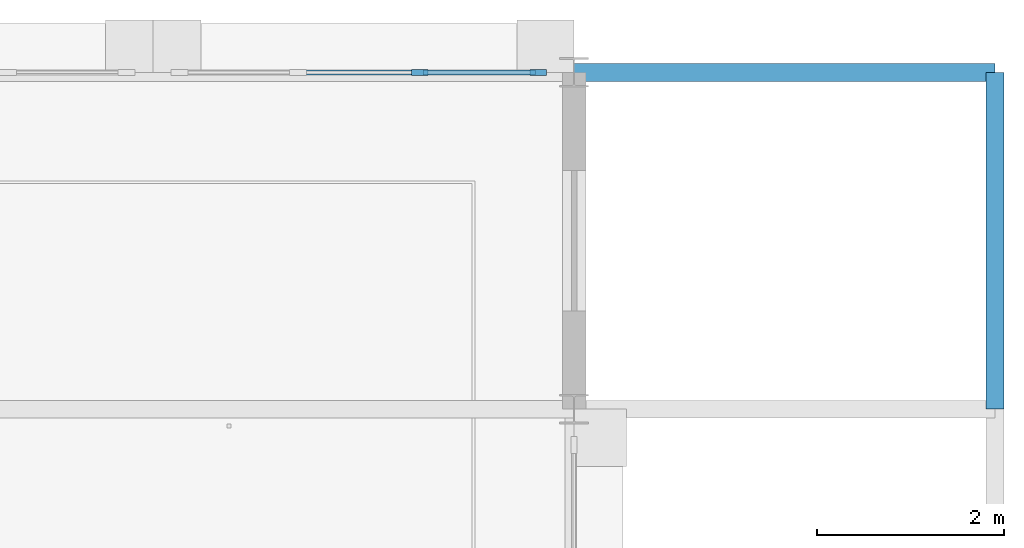
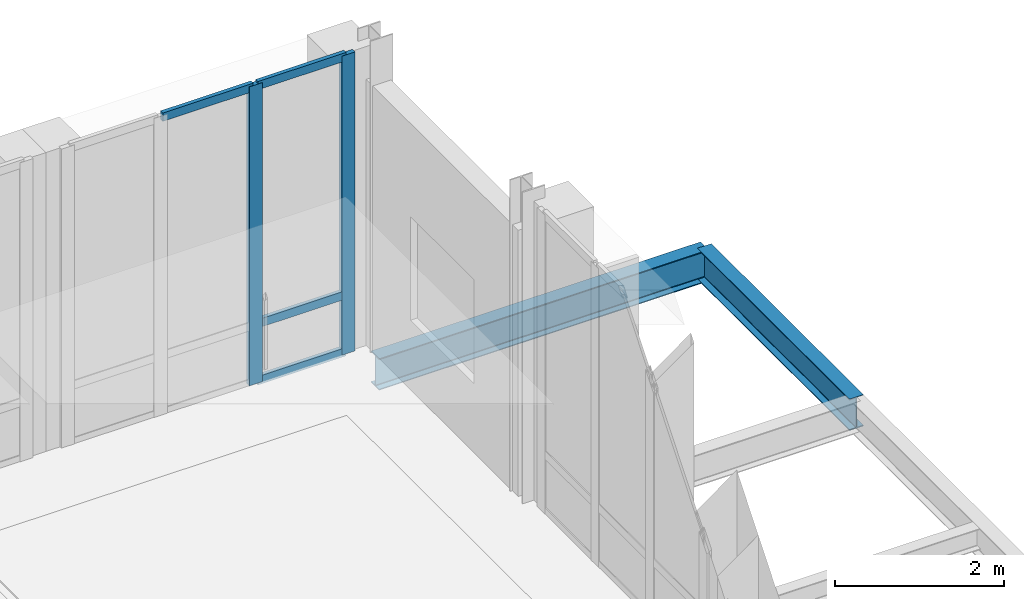
# One storey, part 71 of 140: 6 members, 2 beams, 1 element without a shape of its own.
"""IFC4 building model written with IfcOpenShell, lengths in metres."""

from ifc_helpers import new_model, si_unit, direction, frame, origin, origin_2d, place, context, subcontext, project, spatial, rectangle, i_section, extrude, material, material_profile, profile_set, type_object, element, aggregate, save


model = new_model("IFC4")

# Units and contexts
model_context = context("Model", 3, precision=1e-05, world=origin(), true_north=direction((0.0, 1.0)))
body_context = subcontext(model_context, "Body", "Model", "MODEL_VIEW")
ifc_project = project(units=[si_unit("LENGTHUNIT", "METRE"), si_unit("AREAUNIT", "SQUARE_METRE"), si_unit("VOLUMEUNIT", "CUBIC_METRE"), si_unit("PLANEANGLEUNIT", "RADIAN"), si_unit("MASSUNIT", "GRAM", prefix="KILO"), si_unit("THERMODYNAMICTEMPERATUREUNIT", "KELVIN"), si_unit("POWERUNIT", "WATT")], contexts=[model_context])

# Site, building, storey
site_placement = place(None, origin())
site = spatial("IfcSite", under=ifc_project, at=site_placement, CompositionType="ELEMENT")
building_placement = place(site_placement, origin())
building = spatial("IfcBuilding", under=site, at=building_placement, Name="Tallowbark Science Centre", CompositionType="ELEMENT")
storey_placement = place(building_placement, frame((0.0, 0.0, 9.89990234375)))
storey = spatial("IfcBuildingStorey", under=building, at=storey_placement, Name="L02", CompositionType="ELEMENT", Elevation=9.89990234375)

# Curtain wall, members
ifc_material_1 = material(Name="Unitised Thermally Broken Aluminium and Low-E Double Glazing", Category="aluminium")
curtain_wall_type = type_object("IfcCurtainWallType", Name="CW-SYS-FACADE", PredefinedType="NOTDEFINED", material=ifc_material_1)
curtain_wall_placement = place(storey_placement, origin())
curtain_wall = element("IfcCurtainWall", 1, at=curtain_wall_placement, inside=storey, type_object=curtain_wall_type, Name="Unitised Curtain Wall OBS-N-148A CW-L02-156", PredefinedType="NOTDEFINED")
ifc_material_2 = material(Name="Anodised Architectural Aluminium Alloy 6063-T6", Category="aluminium")
ifc_material_profile_1 = material_profile(ifc_material_2, rectangle(XDim=0.06494140625, YDim=0.179931640625, at=origin_2d()), Name="ALU65x180")
ifc_profile_set_1 = profile_set([ifc_material_profile_1], Name="Anodised Architectural Aluminium Alloy 6063-T6")
member_type_1 = type_object("IfcMemberType", Name="CWM-MUL-220", PredefinedType="MULLION", material=ifc_profile_set_1)
member_1_placement = place(storey_placement, frame((157.117431640625, 111.60009765625, 0.0), z_axis=(0.0, 0.0, 1.0), x_axis=(0.0, -1.0, 0.0)))
member_1 = element("IfcMember", 2, at=member_1_placement, type_object=member_type_1, Name="CW-01 mullion 1", PredefinedType="MULLION", context=body_context, shape_type="SweptSolid", body=[
    extrude(rectangle(XDim=0.06494140625, YDim=0.179931640625, at=origin_2d()), origin(), (0.0, 0.0, 1.0), 4.320068359375),
])
member_2_placement = place(storey_placement, frame((155.85009765625, 111.60009765625, 0.0), z_axis=(0.0, 0.0, 1.0), x_axis=(0.0, -1.0, 0.0)))
member_2 = element("IfcMember", 3, at=member_2_placement, type_object=member_type_1, Name="CW-01 mullion 2", PredefinedType="MULLION", context=body_context, shape_type="SweptSolid", body=[
    extrude(rectangle(XDim=0.06494140625, YDim=0.179931640625, at=origin_2d()), origin(), (0.0, 0.0, 1.0), 4.320068359375),
])
ifc_material_profile_2 = material_profile(ifc_material_2, rectangle(XDim=0.054931640625, YDim=0.1201171875, at=origin_2d()), Name="ALU55x120")
ifc_profile_set_2 = profile_set([ifc_material_profile_2], Name="Anodised Architectural Aluminium Alloy 6063-T6")
member_type_2 = type_object("IfcMemberType", Name="CWM-TRN-150", PredefinedType="USERDEFINED", material=ifc_profile_set_2)
member_3_placement = place(storey_placement, frame((157.0849609375, 111.60009765625, 0.027587890625), z_axis=(-1.0, 0.0, 0.0), x_axis=(0.0, -1.0, 0.0)))
member_3 = element("IfcMember", 4, at=member_3_placement, type_object=member_type_2, Name="CW-01 transom 1.1", ObjectType="TRANSOM", PredefinedType="USERDEFINED", context=body_context, shape_type="SweptSolid", body=[
    extrude(rectangle(XDim=0.054931640625, YDim=0.1201171875, at=origin_2d()), origin(), (0.0, 0.0, 1.0), 1.202392578125),
])
member_4_placement = place(storey_placement, frame((157.0849609375, 111.60009765625, 0.85009765625), z_axis=(-1.0, 0.0, 0.0), x_axis=(0.0, -1.0, 0.0)))
member_4 = element("IfcMember", 5, at=member_4_placement, type_object=member_type_2, Name="CW-01 transom 1.2", ObjectType="TRANSOM", PredefinedType="USERDEFINED", context=body_context, shape_type="SweptSolid", body=[
    extrude(rectangle(XDim=0.054931640625, YDim=0.1201171875, at=origin_2d()), origin(), (0.0, 0.0, 1.0), 1.202392578125),
])
member_5_placement = place(storey_placement, frame((157.0849609375, 111.60009765625, 4.29248046875), z_axis=(-1.0, 0.0, 0.0), x_axis=(0.0, -1.0, 0.0)))
member_5 = element("IfcMember", 6, at=member_5_placement, type_object=member_type_2, Name="CW-01 transom 1.3", ObjectType="TRANSOM", PredefinedType="USERDEFINED", context=body_context, shape_type="SweptSolid", body=[
    extrude(rectangle(XDim=0.054931640625, YDim=0.1201171875, at=origin_2d()), origin(), (0.0, 0.0, 1.0), 1.202392578125),
])
member_6_placement = place(storey_placement, frame((155.8173828125, 111.60009765625, 4.29248046875), z_axis=(-1.0, 0.0, 0.0), x_axis=(0.0, -1.0, 0.0)))
member_6 = element("IfcMember", 7, at=member_6_placement, type_object=member_type_2, Name="CW-01 transom 2.3", ObjectType="TRANSOM", PredefinedType="USERDEFINED", context=body_context, shape_type="SweptSolid", body=[
    extrude(rectangle(XDim=0.054931640625, YDim=0.1201171875, at=origin_2d()), origin(), (0.0, 0.0, 1.0), 1.23486328125),
])
aggregate(curtain_wall, [member_1, member_2, member_3, member_4, member_5, member_6])

# Beams
ifc_material_3 = material(Name="Structural Steel Grade 300PLUS (300 MPa)", Category="steel")
ifc_material_profile_3 = material_profile(ifc_material_3, i_section(OverallWidth=0.18994140625, OverallDepth=0.453857421875, WebThickness=0.008544921875, FlangeThickness=0.0126953125, FilletRadius=0.011474609375, at=origin_2d()), Name="460UB67.1")
ifc_profile_set_3 = profile_set([ifc_material_profile_3], Name="Structural Steel Grade 300PLUS (300 MPa)")
beam_type = type_object("IfcBeamType", Name="SPN-UB460", PredefinedType="SPANDREL", material=ifc_profile_set_3)
beam_1_placement = place(storey_placement, frame((157.5, 111.60009765625, -0.40673828125), z_axis=(1.0, 0.0, 0.0), x_axis=(0.0, 1.0, 0.0)))
element("IfcBeam", 8, at=beam_1_placement, inside=storey, type_object=beam_type, Name="Primary Girder GRDX-L02-1575-1620-1116", PredefinedType="SPANDREL", context=body_context, shape_type="SweptSolid", body=[
    extrude(i_section(OverallWidth=0.18994140625, OverallDepth=0.453857421875, WebThickness=0.008544921875, FlangeThickness=0.0126953125, FilletRadius=0.011474609375, at=origin_2d()), origin(), (0.0, 0.0, 1.0), 4.5),
])
beam_2_placement = place(storey_placement, frame((162.0, 108.0, -0.40673828125), z_axis=(0.0, 1.0, 0.0), x_axis=(-1.0, 0.0, 0.0)))
element("IfcBeam", 9, at=beam_2_placement, inside=storey, type_object=beam_type, Name="Primary Girder GRDY-L02-1620-1080-1116", PredefinedType="SPANDREL", context=body_context, shape_type="SweptSolid", body=[
    extrude(i_section(OverallWidth=0.18994140625, OverallDepth=0.453857421875, WebThickness=0.008544921875, FlangeThickness=0.0126953125, FilletRadius=0.011474609375, at=origin_2d()), origin(), (0.0, 0.0, 1.0), 3.60009765625),
])

save(model, "model.ifc")
